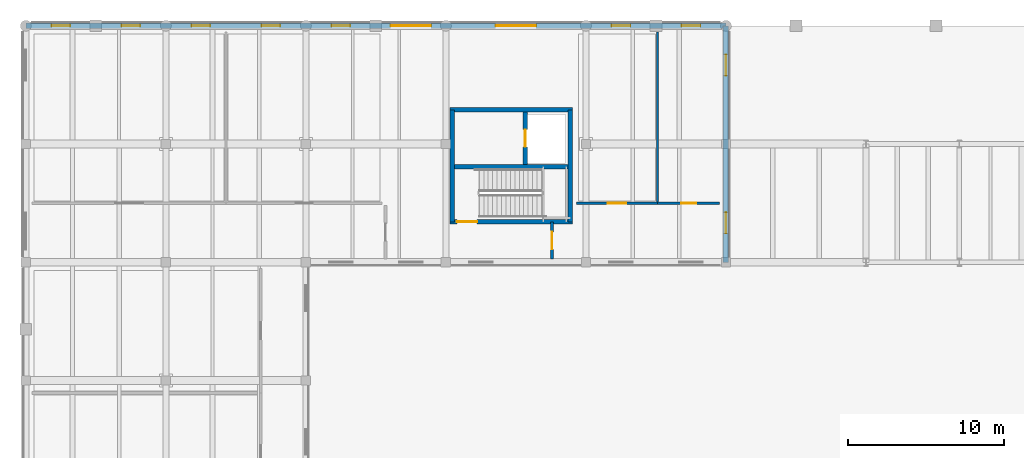
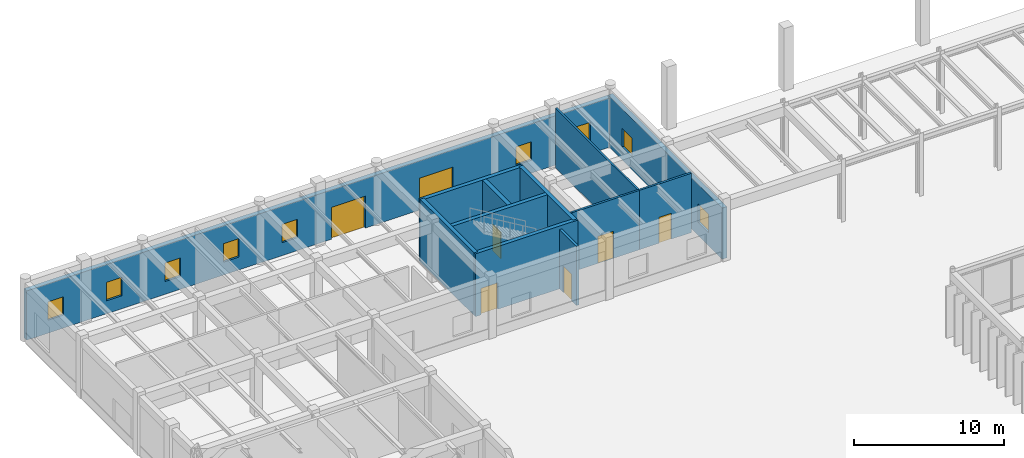
# One storey, part 44 of 64: 12 walls, 9 windows, 7 doors, 16 openings.
"""IFC4 building model written with IfcOpenShell, lengths in metres."""

from ifc_helpers import new_model, si_unit, direction, frame, frame_2d, origin, place, context, subcontext, project, spatial, rectangle, extrude, material, layer, layer_set, type_object, element, fill, save


model = new_model("IFC4")

# Units and contexts
model_context = context("Model", 3, precision=1e-05, world=origin(), true_north=direction((0.0, 1.0)))
body_context = subcontext(model_context, "Body", "Model", "MODEL_VIEW")
ifc_project = project(units=[si_unit("LENGTHUNIT", "METRE"), si_unit("AREAUNIT", "SQUARE_METRE"), si_unit("VOLUMEUNIT", "CUBIC_METRE"), si_unit("PLANEANGLEUNIT", "RADIAN"), si_unit("MASSUNIT", "GRAM", prefix="KILO")], contexts=[model_context])

# Site, building, storey
site_placement = place(None, origin())
site = spatial("IfcSite", under=ifc_project, at=site_placement, CompositionType="ELEMENT")
building_placement = place(site_placement, origin())
building = spatial("IfcBuilding", under=site, at=building_placement, Name="Montealbar Specialist Clinic", CompositionType="ELEMENT")
storey_placement = place(building_placement, origin())
storey = spatial("IfcBuildingStorey", under=building, at=storey_placement, Name="L00", CompositionType="ELEMENT", Elevation=0.0)

# Wall, opening, door
ifc_material_1 = material(Name="Concrete C35/45", Category="concrete")
ifc_layer_1 = layer(ifc_material_1, 0.300048828125, Name="Concrete C35/45", Category="concrete")
ifc_layer_set_1 = layer_set([ifc_layer_1], Name="Concrete C35/45")
wall_type_1 = type_object("IfcWallType", Name="WL-CORE-300", PredefinedType="SHEAR", material=ifc_layer_set_1)
wall_1_placement = place(storey_placement, frame((27.25, 98.39990234375, 0.0), z_axis=(0.0, 0.0, 1.0), x_axis=(1.0, 0.0, 0.0)))
wall_1 = element("IfcWall", 1, at=wall_1_placement, inside=storey, type_object=wall_type_1, Name="Core C2 Shear Wall L00 S", PredefinedType="SHEAR", context=body_context, shape_type="SweptSolid", body=[
    extrude(rectangle(XDim=7.89990234375, YDim=0.300048828125, at=frame_2d((3.949951171875, 0.0))), origin(), (0.0, 0.0, 1.0), 5.10009765625),
])
opening_1_placement = place(wall_1_placement, frame((0.449951171875, 0.0, 0.0)))
opening_1 = element("IfcOpeningElement", 2, at=opening_1_placement, cuts=wall_1, Name="Opening SD-13", PredefinedType="OPENING", context=body_context, shape_type="SweptSolid", body=[
    extrude(rectangle(XDim=1.300048828125, YDim=2.14990234375, at=frame_2d((0.64990234375, 1.074951171875))), frame((0.0, 0.159912109375, 0.0), z_axis=(0.0, -1.0, 0.0), x_axis=(1.0, 0.0, 0.0)), (0.0, 0.0, 1.0), 0.320068359375),
])
ifc_material_2 = material(Name="Steel S355", Category="steel")
door_type_1 = type_object("IfcDoorType", Name="DR-STAIR-W1300", OperationType="NOTDEFINED", PredefinedType="DOOR", material=ifc_material_2)
door_1_placement = place(opening_1_placement, frame((1.300048828125, 0.0, 0.0), z_axis=(0.0, 0.0, 1.0), x_axis=(-1.0, 0.0, 0.0)))
door_1 = element("IfcDoor", 3, at=door_1_placement, inside=storey, type_object=door_type_1, Name="Protected Core C2 Stair Fire Door L00", OperationType="SINGLE_SWING_RIGHT", OverallHeight=2.14990234375, OverallWidth=1.300048828125, PredefinedType="DOOR", context=body_context, shape_type="SweptSolid", body=[
    extrude(rectangle(XDim=1.300048828125, YDim=2.14990234375, at=frame_2d((0.64990234375, 1.074951171875))), frame((0.0, 0.02490234375, 0.0), z_axis=(0.0, -1.0, 0.0), x_axis=(1.0, 0.0, 0.0)), (0.0, 0.0, 1.0), 0.050048828125),
])
fill(opening_1, door_1)

# Walls
wall_2_placement = place(storey_placement, frame((27.25, 105.60009765625, 0.0), z_axis=(0.0, 0.0, 1.0), x_axis=(1.0, 0.0, 0.0)))
element("IfcWall", 4, at=wall_2_placement, inside=storey, type_object=wall_type_1, Name="Core C2 Shear Wall L00 N", PredefinedType="SHEAR", context=body_context, shape_type="SweptSolid", body=[
    extrude(rectangle(XDim=7.89990234375, YDim=0.300048828125, at=frame_2d((3.949951171875, 0.0))), origin(), (0.0, 0.0, 1.0), 5.10009765625),
])
for number, where, z_axis, x_axis, name in (
    (5, (27.39990234375, 98.39990234375, 0.0), (0.0, 0.0, 1.0), (0.0, 1.0, 0.0), "Core C2 Shear Wall L00 W"),
    (6, (35.0, 98.39990234375, 0.0), (0.0, 0.0, 1.0), (0.0, 1.0, 0.0), "Core C2 Shear Wall L00 E"),
):
    element("IfcWall", number, at=place(storey_placement, frame(where, z_axis=z_axis, x_axis=x_axis)), inside=storey, type_object=wall_type_1, Name=name, PredefinedType="SHEAR", context=body_context, shape_type="SweptSolid", body=[
        extrude(rectangle(XDim=7.2001953125, YDim=0.300048828125, at=frame_2d((3.60009765625, 0.0))), origin(), (0.0, 0.0, 1.0), 5.10009765625),
    ])
wall_3_placement = place(storey_placement, frame((27.550048828125, 101.949951171875, 0.0), z_axis=(0.0, 0.0, 1.0), x_axis=(1.0, 0.0, 0.0)))
element("IfcWall", 7, at=wall_3_placement, inside=storey, type_object=wall_type_1, Name="Core C2 Stairwell Wall L00", PredefinedType="SHEAR", context=body_context, shape_type="SweptSolid", body=[
    extrude(rectangle(XDim=7.300048828125, YDim=0.300048828125, at=frame_2d((3.64990234375, 0.0))), origin(), (0.0, 0.0, 1.0), 5.10009765625),
])

# Wall, opening, door
wall_4_placement = place(storey_placement, frame((32.10009765625, 102.10009765625, 0.0), z_axis=(0.0, 0.0, 1.0), x_axis=(0.0, 1.0, 0.0)))
wall_4 = element("IfcWall", 8, at=wall_4_placement, inside=storey, type_object=wall_type_1, Name="Lift LF-02 Shaft Wall L00 LW", PredefinedType="SHEAR", context=body_context, shape_type="SweptSolid", body=[
    extrude(rectangle(XDim=3.349853515625, YDim=0.300048828125, at=frame_2d((1.6748046875, 0.0))), origin(), (0.0, 0.0, 1.0), 5.10009765625),
])
opening_2_placement = place(wall_4_placement, frame((1.125, 0.0, 0.0)))
opening_2 = element("IfcOpeningElement", 9, at=opening_2_placement, cuts=wall_4, Name="Opening LD-11", PredefinedType="OPENING", context=body_context, shape_type="SweptSolid", body=[
    extrude(rectangle(XDim=1.10009765625, YDim=2.14990234375, at=frame_2d((0.550048828125, 1.074951171875))), frame((0.0, 0.159912109375, 0.0), z_axis=(0.0, -1.0, 0.0), x_axis=(1.0, 0.0, 0.0)), (0.0, 0.0, 1.0), 0.320068359375),
])
door_type_2 = type_object("IfcDoorType", Name="DR-LIFT-LD1100", OperationType="DOUBLE_DOOR_SLIDING", PredefinedType="DOOR", material=ifc_material_2)
door_2_placement = place(opening_2_placement, origin())
door_2 = element("IfcDoor", 10, at=door_2_placement, inside=storey, type_object=door_type_2, Name="Lift LF-02 Sliding Landing Door L00", OperationType="DOUBLE_DOOR_SLIDING", OverallHeight=2.14990234375, OverallWidth=1.10009765625, PredefinedType="DOOR", context=body_context, shape_type="SweptSolid", body=[
    extrude(rectangle(XDim=1.10009765625, YDim=2.14990234375, at=frame_2d((0.550048828125, 1.074951171875))), frame((0.0, 0.02490234375, 0.0), z_axis=(0.0, -1.0, 0.0), x_axis=(1.0, 0.0, 0.0)), (0.0, 0.0, 1.0), 0.050048828125),
])
fill(opening_2, door_2)

# Wall, openings, doors, windows
ifc_material_3 = material(Name="Guadarrama granite ashlar", Category="masonry")
ifc_layer_2 = layer(ifc_material_3, 0.35009765625, Name="Guadarrama granite ashlar", Category="masonry")
ifc_layer_set_2 = layer_set([ifc_layer_2], Name="Guadarrama granite ashlar")
wall_type_2 = type_object("IfcWallType", Name="WL-EXT-GRANITE-350", PredefinedType="SOLIDWALL", material=ifc_layer_set_2)
wall_5_placement = place(storey_placement, frame((0.0, 111.0, 0.0), z_axis=(0.0, 0.0, 1.0), x_axis=(1.0, 0.0, 0.0)))
wall_5 = element("IfcWall", 11, at=wall_5_placement, inside=storey, type_object=wall_type_2, Name="Exterior Facade Wall EW-L00-017", PredefinedType="SOLIDWALL", context=body_context, shape_type="SweptSolid", body=[
    extrude(rectangle(XDim=45.0, YDim=0.35009765625, at=frame_2d((22.5, 0.0))), origin(), (0.0, 0.0, 1.0), 4.010009765625),
])
opening_3_placement = place(wall_5_placement, frame((23.449951171875, 0.0, 0.0)))
opening_3 = element("IfcOpeningElement", 12, at=opening_3_placement, cuts=wall_5, Name="Opening ED-26", PredefinedType="OPENING", context=body_context, shape_type="SweptSolid", body=[
    extrude(rectangle(XDim=2.60009765625, YDim=2.60009765625, at=frame_2d((1.300048828125, 1.300048828125))), frame((0.0, 0.18505859375, 0.0), z_axis=(0.0, -1.0, 0.0), x_axis=(1.0, 0.0, 0.0)), (0.0, 0.0, 1.0), 0.3701171875),
])
opening_4_placement = place(wall_5_placement, frame((30.199951171875, 0.0, 0.0)))
opening_4 = element("IfcOpeningElement", 13, at=opening_4_placement, cuts=wall_5, Name="Opening ED-26", PredefinedType="OPENING", context=body_context, shape_type="SweptSolid", body=[
    extrude(rectangle(XDim=2.60009765625, YDim=2.60009765625, at=frame_2d((1.300048828125, 1.300048828125))), frame((0.0, 0.18505859375, 0.0), z_axis=(0.0, -1.0, 0.0), x_axis=(1.0, 0.0, 0.0)), (0.0, 0.0, 1.0), 0.3701171875),
])
opening_5_placement = place(wall_5_placement, frame((1.64990234375, 0.0, 1.050048828125)))
opening_5 = element("IfcOpeningElement", 14, at=opening_5_placement, cuts=wall_5, Name="Opening WN-01", PredefinedType="OPENING", context=body_context, shape_type="SweptSolid", body=[
    extrude(rectangle(XDim=1.199951171875, YDim=1.5, at=frame_2d((0.60009765625, 0.75))), frame((0.0, 0.18505859375, 0.0), z_axis=(0.0, -1.0, 0.0), x_axis=(1.0, 0.0, 0.0)), (0.0, 0.0, 1.0), 0.3701171875),
])
opening_6_placement = place(wall_5_placement, frame((6.14990234375, 0.0, 1.050048828125)))
opening_6 = element("IfcOpeningElement", 15, at=opening_6_placement, cuts=wall_5, Name="Opening WN-01", PredefinedType="OPENING", context=body_context, shape_type="SweptSolid", body=[
    extrude(rectangle(XDim=1.199951171875, YDim=1.5, at=frame_2d((0.60009765625, 0.75))), frame((0.0, 0.18505859375, 0.0), z_axis=(0.0, -1.0, 0.0), x_axis=(1.0, 0.0, 0.0)), (0.0, 0.0, 1.0), 0.3701171875),
])
opening_7_placement = place(wall_5_placement, frame((10.64990234375, 0.0, 1.050048828125)))
opening_7 = element("IfcOpeningElement", 16, at=opening_7_placement, cuts=wall_5, Name="Opening WN-01", PredefinedType="OPENING", context=body_context, shape_type="SweptSolid", body=[
    extrude(rectangle(XDim=1.199951171875, YDim=1.5, at=frame_2d((0.60009765625, 0.75))), frame((0.0, 0.18505859375, 0.0), z_axis=(0.0, -1.0, 0.0), x_axis=(1.0, 0.0, 0.0)), (0.0, 0.0, 1.0), 0.3701171875),
])
opening_8_placement = place(wall_5_placement, frame((15.14990234375, 0.0, 1.050048828125)))
opening_8 = element("IfcOpeningElement", 17, at=opening_8_placement, cuts=wall_5, Name="Opening WN-01", PredefinedType="OPENING", context=body_context, shape_type="SweptSolid", body=[
    extrude(rectangle(XDim=1.199951171875, YDim=1.5, at=frame_2d((0.60009765625, 0.75))), frame((0.0, 0.18505859375, 0.0), z_axis=(0.0, -1.0, 0.0), x_axis=(1.0, 0.0, 0.0)), (0.0, 0.0, 1.0), 0.3701171875),
])
opening_9_placement = place(wall_5_placement, frame((19.64990234375, 0.0, 1.050048828125)))
opening_9 = element("IfcOpeningElement", 18, at=opening_9_placement, cuts=wall_5, Name="Opening WN-01", PredefinedType="OPENING", context=body_context, shape_type="SweptSolid", body=[
    extrude(rectangle(XDim=1.199951171875, YDim=1.5, at=frame_2d((0.60009765625, 0.75))), frame((0.0, 0.18505859375, 0.0), z_axis=(0.0, -1.0, 0.0), x_axis=(1.0, 0.0, 0.0)), (0.0, 0.0, 1.0), 0.3701171875),
])
opening_10_placement = place(wall_5_placement, frame((37.64990234375, 0.0, 1.050048828125)))
opening_10 = element("IfcOpeningElement", 19, at=opening_10_placement, cuts=wall_5, Name="Opening WN-01", PredefinedType="OPENING", context=body_context, shape_type="SweptSolid", body=[
    extrude(rectangle(XDim=1.199951171875, YDim=1.5, at=frame_2d((0.60009765625, 0.75))), frame((0.0, 0.18505859375, 0.0), z_axis=(0.0, -1.0, 0.0), x_axis=(1.0, 0.0, 0.0)), (0.0, 0.0, 1.0), 0.3701171875),
])
opening_11_placement = place(wall_5_placement, frame((42.14990234375, 0.0, 1.050048828125)))
opening_11 = element("IfcOpeningElement", 20, at=opening_11_placement, cuts=wall_5, Name="Opening WN-01", PredefinedType="OPENING", context=body_context, shape_type="SweptSolid", body=[
    extrude(rectangle(XDim=1.199951171875, YDim=1.5, at=frame_2d((0.60009765625, 0.75))), frame((0.0, 0.18505859375, 0.0), z_axis=(0.0, -1.0, 0.0), x_axis=(1.0, 0.0, 0.0)), (0.0, 0.0, 1.0), 0.3701171875),
])
ifc_material_4 = material(Name="Powder-coated aluminium", Category="aluminium")
door_type_3 = type_object("IfcDoorType", Name="DR-PLAZA-W2600", OperationType="DOUBLE_DOOR_SINGLE_SWING", PredefinedType="DOOR", material=ifc_material_4)
door_3_placement = place(opening_3_placement, origin())
door_3 = element("IfcDoor", 21, at=door_3_placement, inside=storey, type_object=door_type_3, Name="North-West Pharmacy Entrance Portal EX-02A", OperationType="DOUBLE_DOOR_SINGLE_SWING", OverallHeight=2.60009765625, OverallWidth=2.60009765625, PredefinedType="DOOR", context=body_context, shape_type="SweptSolid", body=[
    extrude(rectangle(XDim=2.60009765625, YDim=2.60009765625, at=frame_2d((1.300048828125, 1.300048828125))), frame((0.0, 0.02490234375, 0.0), z_axis=(0.0, -1.0, 0.0), x_axis=(1.0, 0.0, 0.0)), (0.0, 0.0, 1.0), 0.050048828125),
])
fill(opening_3, door_3)
door_4_placement = place(opening_4_placement, origin())
door_4 = element("IfcDoor", 22, at=door_4_placement, inside=storey, type_object=door_type_3, Name="North-West Core C2 Final Exit Door EX-02B", OperationType="DOUBLE_DOOR_SINGLE_SWING", OverallHeight=2.60009765625, OverallWidth=2.60009765625, PredefinedType="DOOR", context=body_context, shape_type="SweptSolid", body=[
    extrude(rectangle(XDim=2.60009765625, YDim=2.60009765625, at=frame_2d((1.300048828125, 1.300048828125))), frame((0.0, 0.02490234375, 0.0), z_axis=(0.0, -1.0, 0.0), x_axis=(1.0, 0.0, 0.0)), (0.0, 0.0, 1.0), 0.050048828125),
])
fill(opening_4, door_4)
ifc_material_5 = material(Name="Low-E double glazing", Category="glass")
window_type_1 = type_object("IfcWindowType", Name="WIN-WN-01", PartitioningType="SINGLE_PANEL", PredefinedType="WINDOW", material=ifc_material_5)
window_1_placement = place(opening_5_placement, origin())
window_1 = element("IfcWindow", 23, at=window_1_placement, inside=storey, type_object=window_type_1, Name="Clinical Facade Window WN-01 L00-0047", OverallHeight=1.5, OverallWidth=1.199951171875, PartitioningType="SINGLE_PANEL", PredefinedType="WINDOW", context=body_context, shape_type="SweptSolid", body=[
    extrude(rectangle(XDim=1.199951171875, YDim=1.5, at=frame_2d((0.60009765625, 0.75))), frame((0.0, 0.030029296875, 0.0), z_axis=(0.0, -1.0, 0.0), x_axis=(1.0, 0.0, 0.0)), (0.0, 0.0, 1.0), 0.06005859375),
])
fill(opening_5, window_1)
window_2_placement = place(opening_6_placement, origin())
window_2 = element("IfcWindow", 24, at=window_2_placement, inside=storey, type_object=window_type_1, Name="Clinical Facade Window WN-01 L00-0048", OverallHeight=1.5, OverallWidth=1.199951171875, PartitioningType="SINGLE_PANEL", PredefinedType="WINDOW", context=body_context, shape_type="SweptSolid", body=[
    extrude(rectangle(XDim=1.199951171875, YDim=1.5, at=frame_2d((0.60009765625, 0.75))), frame((0.0, 0.030029296875, 0.0), z_axis=(0.0, -1.0, 0.0), x_axis=(1.0, 0.0, 0.0)), (0.0, 0.0, 1.0), 0.06005859375),
])
fill(opening_6, window_2)
window_3_placement = place(opening_7_placement, origin())
window_3 = element("IfcWindow", 25, at=window_3_placement, inside=storey, type_object=window_type_1, Name="Clinical Facade Window WN-01 L00-0049", OverallHeight=1.5, OverallWidth=1.199951171875, PartitioningType="SINGLE_PANEL", PredefinedType="WINDOW", context=body_context, shape_type="SweptSolid", body=[
    extrude(rectangle(XDim=1.199951171875, YDim=1.5, at=frame_2d((0.60009765625, 0.75))), frame((0.0, 0.030029296875, 0.0), z_axis=(0.0, -1.0, 0.0), x_axis=(1.0, 0.0, 0.0)), (0.0, 0.0, 1.0), 0.06005859375),
])
fill(opening_7, window_3)
window_4_placement = place(opening_8_placement, origin())
window_4 = element("IfcWindow", 26, at=window_4_placement, inside=storey, type_object=window_type_1, Name="Clinical Facade Window WN-01 L00-0050", OverallHeight=1.5, OverallWidth=1.199951171875, PartitioningType="SINGLE_PANEL", PredefinedType="WINDOW", context=body_context, shape_type="SweptSolid", body=[
    extrude(rectangle(XDim=1.199951171875, YDim=1.5, at=frame_2d((0.60009765625, 0.75))), frame((0.0, 0.030029296875, 0.0), z_axis=(0.0, -1.0, 0.0), x_axis=(1.0, 0.0, 0.0)), (0.0, 0.0, 1.0), 0.06005859375),
])
fill(opening_8, window_4)
window_5_placement = place(opening_9_placement, origin())
window_5 = element("IfcWindow", 27, at=window_5_placement, inside=storey, type_object=window_type_1, Name="Clinical Facade Window WN-01 L00-0051", OverallHeight=1.5, OverallWidth=1.199951171875, PartitioningType="SINGLE_PANEL", PredefinedType="WINDOW", context=body_context, shape_type="SweptSolid", body=[
    extrude(rectangle(XDim=1.199951171875, YDim=1.5, at=frame_2d((0.60009765625, 0.75))), frame((0.0, 0.030029296875, 0.0), z_axis=(0.0, -1.0, 0.0), x_axis=(1.0, 0.0, 0.0)), (0.0, 0.0, 1.0), 0.06005859375),
])
fill(opening_9, window_5)
window_6_placement = place(opening_10_placement, origin())
window_6 = element("IfcWindow", 28, at=window_6_placement, inside=storey, type_object=window_type_1, Name="Clinical Facade Window WN-01 L00-0052", OverallHeight=1.5, OverallWidth=1.199951171875, PartitioningType="SINGLE_PANEL", PredefinedType="WINDOW", context=body_context, shape_type="SweptSolid", body=[
    extrude(rectangle(XDim=1.199951171875, YDim=1.5, at=frame_2d((0.60009765625, 0.75))), frame((0.0, 0.030029296875, 0.0), z_axis=(0.0, -1.0, 0.0), x_axis=(1.0, 0.0, 0.0)), (0.0, 0.0, 1.0), 0.06005859375),
])
fill(opening_10, window_6)
window_7_placement = place(opening_11_placement, origin())
window_7 = element("IfcWindow", 29, at=window_7_placement, inside=storey, type_object=window_type_1, Name="Clinical Facade Window WN-01 L00-0053", OverallHeight=1.5, OverallWidth=1.199951171875, PartitioningType="SINGLE_PANEL", PredefinedType="WINDOW", context=body_context, shape_type="SweptSolid", body=[
    extrude(rectangle(XDim=1.199951171875, YDim=1.5, at=frame_2d((0.60009765625, 0.75))), frame((0.0, 0.030029296875, 0.0), z_axis=(0.0, -1.0, 0.0), x_axis=(1.0, 0.0, 0.0)), (0.0, 0.0, 1.0), 0.06005859375),
])
fill(opening_11, window_7)

# Wall, openings, windows
wall_6_placement = place(storey_placement, frame((45.0, 111.0, 0.0), z_axis=(0.0, 0.0, 1.0), x_axis=(0.0, -1.0, 0.0)))
wall_6 = element("IfcWall", 30, at=wall_6_placement, inside=storey, type_object=wall_type_2, Name="Exterior Facade Wall EW-L00-018", PredefinedType="SOLIDWALL", context=body_context, shape_type="SweptSolid", body=[
    extrude(rectangle(XDim=15.199951171875, YDim=0.35009765625, at=frame_2d((7.60009765625, 0.0))), origin(), (0.0, 0.0, 1.0), 4.159912109375),
])
opening_12_placement = place(wall_6_placement, frame((1.85791015625, 0.0, 1.050048828125)))
opening_12 = element("IfcOpeningElement", 31, at=opening_12_placement, cuts=wall_6, Name="Opening WN-02", PredefinedType="OPENING", context=body_context, shape_type="SweptSolid", body=[
    extrude(rectangle(XDim=1.35009765625, YDim=1.5, at=frame_2d((0.675048828125, 0.75))), frame((0.0, 0.18505859375, 0.0), z_axis=(0.0, -1.0, 0.0), x_axis=(1.0, 0.0, 0.0)), (0.0, 0.0, 1.0), 0.3701171875),
])
opening_13_placement = place(wall_6_placement, frame((11.991943359375, 0.0, 1.050048828125)))
opening_13 = element("IfcOpeningElement", 32, at=opening_13_placement, cuts=wall_6, Name="Opening WN-02", PredefinedType="OPENING", context=body_context, shape_type="SweptSolid", body=[
    extrude(rectangle(XDim=1.35009765625, YDim=1.5, at=frame_2d((0.675048828125, 0.75))), frame((0.0, 0.18505859375, 0.0), z_axis=(0.0, -1.0, 0.0), x_axis=(1.0, 0.0, 0.0)), (0.0, 0.0, 1.0), 0.3701171875),
])
window_type_2 = type_object("IfcWindowType", Name="WIN-WN-02", PartitioningType="SINGLE_PANEL", PredefinedType="WINDOW", material=ifc_material_5)
window_8_placement = place(opening_12_placement, origin())
window_8 = element("IfcWindow", 33, at=window_8_placement, inside=storey, type_object=window_type_2, Name="Clinical Facade Window WN-02 L00-0054", OverallHeight=1.5, OverallWidth=1.35009765625, PartitioningType="SINGLE_PANEL", PredefinedType="WINDOW", context=body_context, shape_type="SweptSolid", body=[
    extrude(rectangle(XDim=1.35009765625, YDim=1.5, at=frame_2d((0.675048828125, 0.75))), frame((0.0, 0.030029296875, 0.0), z_axis=(0.0, -1.0, 0.0), x_axis=(1.0, 0.0, 0.0)), (0.0, 0.0, 1.0), 0.06005859375),
])
fill(opening_12, window_8)
window_9_placement = place(opening_13_placement, origin())
window_9 = element("IfcWindow", 34, at=window_9_placement, inside=storey, type_object=window_type_2, Name="Clinical Facade Window WN-02 L00-0055", OverallHeight=1.5, OverallWidth=1.35009765625, PartitioningType="SINGLE_PANEL", PredefinedType="WINDOW", context=body_context, shape_type="SweptSolid", body=[
    extrude(rectangle(XDim=1.35009765625, YDim=1.5, at=frame_2d((0.675048828125, 0.75))), frame((0.0, 0.030029296875, 0.0), z_axis=(0.0, -1.0, 0.0), x_axis=(1.0, 0.0, 0.0)), (0.0, 0.0, 1.0), 0.06005859375),
])
fill(opening_13, window_9)

# Wall
ifc_material_6 = material(Name="Gypsum acoustic partition", Category="gypsum")
ifc_layer_3 = layer(ifc_material_6, 0.139892578125, Name="Gypsum acoustic partition", Category="gypsum")
ifc_layer_set_3 = layer_set([ifc_layer_3], Name="Gypsum acoustic partition")
wall_type_3 = type_object("IfcWallType", Name="WL-PART-ACOUSTIC-140", PredefinedType="PARTITIONING", material=ifc_layer_set_3)
wall_7_placement = place(storey_placement, frame((40.60009765625, 99.60009765625, 0.0), z_axis=(0.0, 0.0, 1.0), x_axis=(0.0, 1.0, 0.0)))
element("IfcWall", 35, at=wall_7_placement, inside=storey, type_object=wall_type_3, Name="Clinical Partition PART-L00-0031", PredefinedType="PARTITIONING", context=body_context, shape_type="SweptSolid", body=[
    extrude(rectangle(XDim=11.0, YDim=0.139892578125, at=frame_2d((5.5, 0.0))), origin(), (0.0, 0.0, 1.0), 4.820068359375),
])

# Wall, opening, door
ifc_layer_4 = layer(ifc_material_6, 0.159912109375, Name="Gypsum acoustic partition", Category="gypsum")
ifc_layer_set_4 = layer_set([ifc_layer_4], Name="Gypsum acoustic partition")
wall_type_4 = type_object("IfcWallType", Name="WL-PART-CLINIC-160", PredefinedType="PARTITIONING", material=ifc_layer_set_4)
wall_8_placement = place(storey_placement, frame((35.39990234375, 99.60009765625, 0.0), z_axis=(0.0, 0.0, 1.0), x_axis=(1.0, 0.0, 0.0)))
wall_8 = element("IfcWall", 36, at=wall_8_placement, inside=storey, type_object=wall_type_4, Name="Clinical Partition PART-L00-0030", PredefinedType="PARTITIONING", context=body_context, shape_type="SweptSolid", body=[
    extrude(rectangle(XDim=5.2001953125, YDim=0.159912109375, at=frame_2d((2.60009765625, 0.0))), origin(), (0.0, 0.0, 1.0), 4.820068359375),
])
opening_14_placement = place(wall_8_placement, frame((2.0, 0.0, 0.0)))
opening_14 = element("IfcOpeningElement", 37, at=opening_14_placement, cuts=wall_8, Name="Opening ID-120", PredefinedType="OPENING", context=body_context, shape_type="SweptSolid", body=[
    extrude(rectangle(XDim=1.199951171875, YDim=2.199951171875, at=frame_2d((0.60009765625, 1.10009765625))), frame((0.0, 0.08984375, 0.0), z_axis=(0.0, -1.0, 0.0), x_axis=(1.0, 0.0, 0.0)), (0.0, 0.0, 1.0), 0.179931640625),
])
ifc_material_7 = material(Name="Acoustic timber leaf", Category="wood")
door_type_4 = type_object("IfcDoorType", Name="DR-CLIN-W1200", OperationType="NOTDEFINED", PredefinedType="DOOR", material=ifc_material_7)
door_5_placement = place(opening_14_placement, frame((1.199951171875, 0.0, 0.0), z_axis=(0.0, 0.0, 1.0), x_axis=(-1.0, 0.0, 0.0)))
door_5 = element("IfcDoor", 38, at=door_5_placement, inside=storey, type_object=door_type_4, Name="Clinical Room Door IDR-L00-0020", OperationType="SINGLE_SWING_RIGHT", OverallHeight=2.199951171875, OverallWidth=1.199951171875, PredefinedType="DOOR", context=body_context, shape_type="SweptSolid", body=[
    extrude(rectangle(XDim=1.199951171875, YDim=2.199951171875, at=frame_2d((0.60009765625, 1.10009765625))), frame((0.0, 0.02490234375, 0.0), z_axis=(0.0, -1.0, 0.0), x_axis=(1.0, 0.0, 0.0)), (0.0, 0.0, 1.0), 0.050048828125),
])
fill(opening_14, door_5)

wall_9_placement = place(storey_placement, frame((40.60009765625, 99.60009765625, 0.0), z_axis=(0.0, 0.0, 1.0), x_axis=(1.0, 0.0, 0.0)))
wall_9 = element("IfcWall", 39, at=wall_9_placement, inside=storey, type_object=wall_type_4, Name="Clinical Partition PART-L00-0032", PredefinedType="PARTITIONING", context=body_context, shape_type="SweptSolid", body=[
    extrude(rectangle(XDim=4.0, YDim=0.159912109375, at=frame_2d((2.0, 0.0))), origin(), (0.0, 0.0, 1.0), 4.820068359375),
])
opening_15_placement = place(wall_9_placement, frame((1.52490234375, 0.0, 0.0)))
opening_15 = element("IfcOpeningElement", 40, at=opening_15_placement, cuts=wall_9, Name="Opening ID-095", PredefinedType="OPENING", context=body_context, shape_type="SweptSolid", body=[
    extrude(rectangle(XDim=0.949951171875, YDim=2.10009765625, at=frame_2d((0.47509765625, 1.050048828125))), frame((0.0, 0.08984375, 0.0), z_axis=(0.0, -1.0, 0.0), x_axis=(1.0, 0.0, 0.0)), (0.0, 0.0, 1.0), 0.179931640625),
])
door_type_5 = type_object("IfcDoorType", Name="DR-WC-W0950", OperationType="NOTDEFINED", PredefinedType="DOOR", material=ifc_material_7)
door_6_placement = place(opening_15_placement, frame((0.949951171875, 0.0, 0.0), z_axis=(0.0, 0.0, 1.0), x_axis=(-1.0, 0.0, 0.0)))
door_6 = element("IfcDoor", 41, at=door_6_placement, inside=storey, type_object=door_type_5, Name="Clinical Room Door IDR-L00-0021", OperationType="SINGLE_SWING_LEFT", OverallHeight=2.10009765625, OverallWidth=0.949951171875, PredefinedType="DOOR", context=body_context, shape_type="SweptSolid", body=[
    extrude(rectangle(XDim=0.949951171875, YDim=2.10009765625, at=frame_2d((0.47509765625, 1.050048828125))), frame((0.0, 0.02490234375, 0.0), z_axis=(0.0, -1.0, 0.0), x_axis=(1.0, 0.0, 0.0)), (0.0, 0.0, 1.0), 0.050048828125),
])
fill(opening_15, door_6)

ifc_material_8 = material(Name="Concrete C30/37", Category="concrete")
ifc_layer_5 = layer(ifc_material_8, 0.199951171875, Name="Concrete C30/37", Category="concrete")
ifc_layer_set_5 = layer_set([ifc_layer_5], Name="Concrete C30/37")
wall_type_5 = type_object("IfcWallType", Name="WL-PART-FIRE-200", PredefinedType="PARTITIONING", material=ifc_layer_set_5)
wall_10_placement = place(storey_placement, frame((33.820068359375, 96.0, 0.0), z_axis=(0.0, 0.0, 1.0), x_axis=(0.0, 1.0, 0.0)))
wall_10 = element("IfcWall", 42, at=wall_10_placement, inside=storey, type_object=wall_type_5, Name="Clinical Partition PART-L00-0019", PredefinedType="PARTITIONING", context=body_context, shape_type="SweptSolid", body=[
    extrude(rectangle(XDim=2.3798828125, YDim=0.199951171875, at=frame_2d((1.18994140625, 0.0))), origin(), (0.0, 0.0, 1.0), 4.820068359375),
])
opening_16_placement = place(wall_10_placement, frame((0.639892578125, 0.0, 0.0)))
opening_16 = element("IfcOpeningElement", 43, at=opening_16_placement, cuts=wall_10, Name="Opening FD-110", PredefinedType="OPENING", context=body_context, shape_type="SweptSolid", body=[
    extrude(rectangle(XDim=1.1201171875, YDim=2.14990234375, at=frame_2d((0.56005859375, 1.074951171875))), frame((0.0, 0.10986328125, 0.0), z_axis=(0.0, -1.0, 0.0), x_axis=(1.0, 0.0, 0.0)), (0.0, 0.0, 1.0), 0.219970703125),
])
door_type_6 = type_object("IfcDoorType", Name="DR-FIRE-W1100", OperationType="NOTDEFINED", PredefinedType="DOOR", material=ifc_material_2)
door_7_placement = place(opening_16_placement, frame((1.1201171875, 0.0, 0.0), z_axis=(0.0, 0.0, 1.0), x_axis=(-1.0, 0.0, 0.0)))
door_7 = element("IfcDoor", 44, at=door_7_placement, inside=storey, type_object=door_type_6, Name="Clinical Room Door IDR-L00-0013", OperationType="SINGLE_SWING_RIGHT", OverallHeight=2.14990234375, OverallWidth=1.1201171875, PredefinedType="DOOR", context=body_context, shape_type="SweptSolid", body=[
    extrude(rectangle(XDim=1.1201171875, YDim=2.14990234375, at=frame_2d((0.56005859375, 1.074951171875))), frame((0.0, 0.02490234375, 0.0), z_axis=(0.0, -1.0, 0.0), x_axis=(1.0, 0.0, 0.0)), (0.0, 0.0, 1.0), 0.050048828125),
])
fill(opening_16, door_7)

save(model, "model.ifc")
